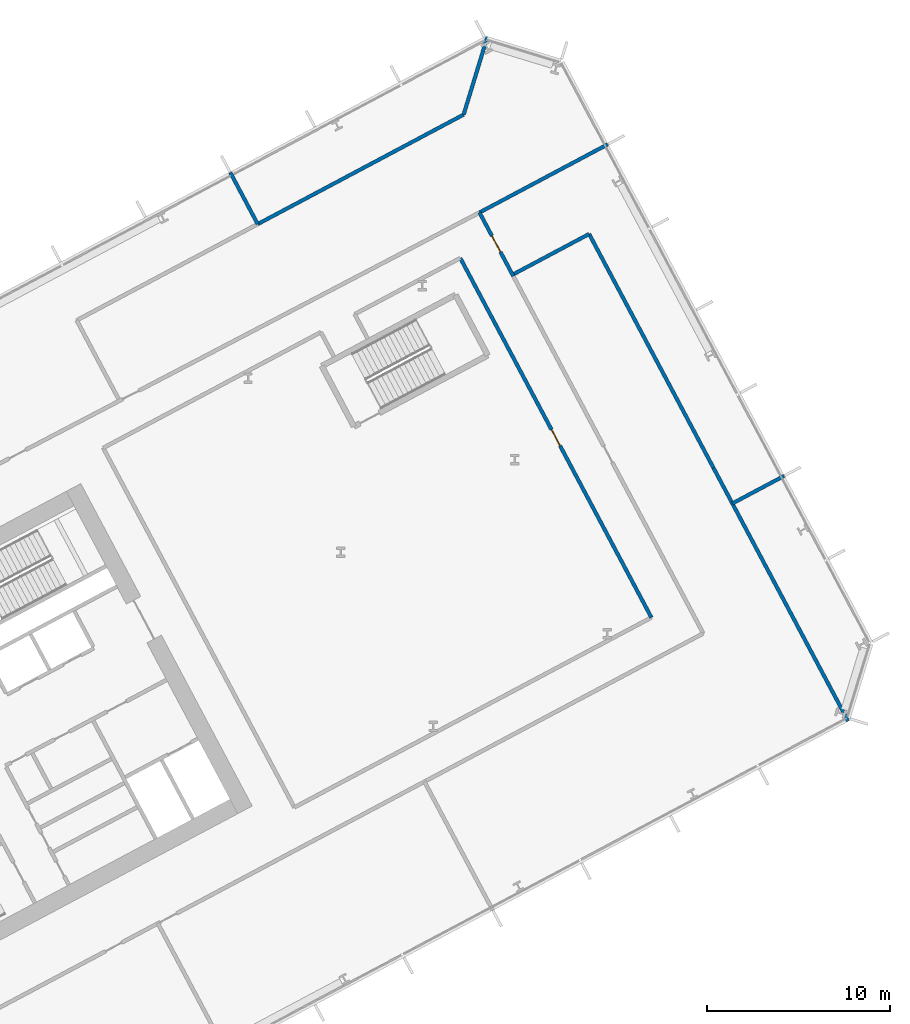
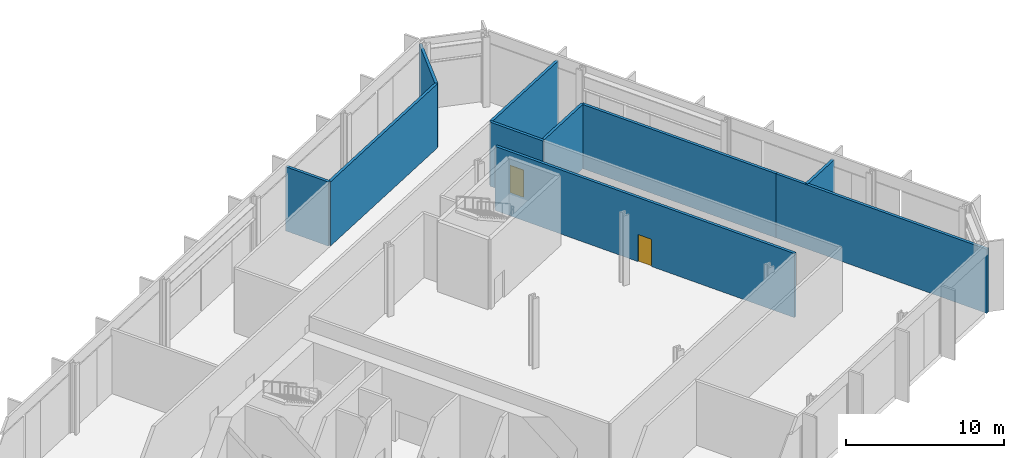
# One storey, part 17 of 31: 10 walls, 2 doors, 2 openings.
"""IFC4 building model written with IfcOpenShell, lengths in metres."""

from ifc_helpers import new_model, si_unit, direction, frame, frame_2d, origin, place, context, subcontext, project, spatial, rectangle, extrude, material, layer, layer_set, type_object, element, fill, save


model = new_model("IFC4")

# Units and contexts
model_context = context("Model", 3, precision=1e-05, world=origin(), true_north=direction((0.0, 1.0)))
body_context = subcontext(model_context, "Body", "Model", "MODEL_VIEW")
ifc_project = project(units=[si_unit("LENGTHUNIT", "METRE"), si_unit("AREAUNIT", "SQUARE_METRE"), si_unit("VOLUMEUNIT", "CUBIC_METRE"), si_unit("PLANEANGLEUNIT", "RADIAN"), si_unit("MASSUNIT", "GRAM", prefix="KILO")], contexts=[model_context])

# Site, building, storey
site_placement = place(None, origin())
site = spatial("IfcSite", under=ifc_project, at=site_placement, CompositionType="ELEMENT")
building_placement = place(site_placement, origin())
building = spatial("IfcBuilding", under=site, at=building_placement, Name="Cormorant Relay Tower", CompositionType="ELEMENT")
storey_placement = place(building_placement, frame((0.0, 0.0, 12.199951171875)))
storey = spatial("IfcBuildingStorey", under=building, at=storey_placement, Name="L02", CompositionType="ELEMENT", Elevation=12.199951171875)

# Walls
ifc_material_1 = material(Name="Fire-rated gypsum board partition")
ifc_layer = layer(ifc_material_1, 0.199951171875)
ifc_layer_set = layer_set([ifc_layer], Name="Fire-rated gypsum partition 200")
wall_type = type_object("IfcWallType", Name="Fire-rated gypsum partition 200", PredefinedType="PARTITIONING", material=ifc_layer_set)
wall_1_placement = place(storey_placement, frame((37.0439453125, 43.70703125, 0.0), z_axis=(0.0, 0.0, 1.0), x_axis=(0.469447181805, -0.882960556025, 0.0)))
element("IfcWall", 1, at=wall_1_placement, inside=storey, type_object=wall_type, Name="wall/L02/part/57", PredefinedType="PARTITIONING", context=body_context, shape_type="SweptSolid", body=[
    extrude(rectangle(XDim=3.199462890625, YDim=0.199951171875, at=frame_2d((1.599609375, 0.0))), origin(), (0.0, 0.0, 1.0), 4.949951171875),
])
wall_2_placement = place(storey_placement, frame((38.5458984375, 40.882080078125, 0.0), z_axis=(0.0, 0.0, 1.0), x_axis=(0.882973874067, 0.469422131685, 0.0)))
element("IfcWall", 2, at=wall_2_placement, inside=storey, type_object=wall_type, Name="wall/L02/part/58", PredefinedType="PARTITIONING", context=body_context, shape_type="SweptSolid", body=[
    extrude(rectangle(XDim=12.77294921875, YDim=0.199951171875, at=frame_2d((6.386474609375, 0.0))), origin(), (0.0, 0.0, 1.0), 4.949951171875),
])
wall_3_placement = place(storey_placement, frame((49.823974609375, 46.8779296875, 0.0), z_axis=(0.0, 0.0, 1.0), x_axis=(0.29242717897, 0.956287794024, 0.0)))
element("IfcWall", 3, at=wall_3_placement, inside=storey, type_object=wall_type, Name="wall/L02/part/59", PredefinedType="PARTITIONING", context=body_context, shape_type="SweptSolid", body=[
    extrude(rectangle(XDim=4.458984375, YDim=0.199951171875, at=frame_2d((2.2294921875, 0.0))), origin(), (0.0, 0.0, 1.0), 4.949951171875),
])

# Wall, opening, door
wall_4_placement = place(storey_placement, frame((49.64111328125, 39.02294921875, 0.0), z_axis=(0.0, 0.0, 1.0), x_axis=(0.469459906809, -0.882953790353, 0.0)))
wall_4 = element("IfcWall", 4, at=wall_4_placement, inside=storey, type_object=wall_type, Name="wall/L02/part/62", PredefinedType="PARTITIONING", context=body_context, shape_type="SweptSolid", body=[
    extrude(rectangle(XDim=22.300048828125, YDim=0.199951171875, at=frame_2d((11.14990234375, 0.0))), origin(), (0.0, 0.0, 1.0), 4.949951171875),
])
opening_1_placement = place(wall_4_placement, frame((10.64990234375, 0.0, 0.0)))
opening_1 = element("IfcOpeningElement", 5, at=opening_1_placement, cuts=wall_4, Name="Opening FD1-021", PredefinedType="OPENING", context=body_context, shape_type="SweptSolid", body=[
    extrude(rectangle(XDim=1.0, YDim=2.10009765625, at=frame_2d((0.5, 1.050048828125))), frame((0.0, 0.10986328125, 0.0), z_axis=(0.0, -1.0, 0.0), x_axis=(1.0, 0.0, 0.0)), (0.0, 0.0, 1.0), 0.219970703125),
])
ifc_material_2 = material(Name="Fire-rated steel door", Category="steel")
door_type = type_object("IfcDoorType", Name="Fire door 1000 x 2100", OperationType="SINGLE_SWING_LEFT", PredefinedType="DOOR", material=ifc_material_2)
door_1_placement = place(opening_1_placement, origin())
door_1 = element("IfcDoor", 6, at=door_1_placement, inside=storey, type_object=door_type, Name="door/L02/24", OperationType="SINGLE_SWING_LEFT", OverallHeight=2.10009765625, OverallWidth=1.0, PredefinedType="DOOR", context=body_context, shape_type="SweptSolid", body=[
    extrude(rectangle(XDim=1.0, YDim=2.10009765625, at=frame_2d((0.5, 1.050048828125))), frame((0.0, 0.02490234375, 0.0), z_axis=(0.0, -1.0, 0.0), x_axis=(1.0, 0.0, 0.0)), (0.0, 0.0, 1.0), 0.050048828125),
])
fill(opening_1, door_1)

wall_5_placement = place(storey_placement, frame((50.693115234375, 41.51611328125, 0.0), z_axis=(0.0, 0.0, 1.0), x_axis=(0.469428212836, -0.882970641071, 0.0)))
wall_5 = element("IfcWall", 7, at=wall_5_placement, inside=storey, type_object=wall_type, Name="wall/L02/part/69", PredefinedType="PARTITIONING", context=body_context, shape_type="SweptSolid", body=[
    extrude(rectangle(XDim=3.94482421875, YDim=0.199951171875, at=frame_2d((1.972412109375, 0.0))), origin(), (0.0, 0.0, 1.0), 4.949951171875),
])
opening_2_placement = place(wall_5_placement, frame((1.449951171875, 0.0, 0.0)))
opening_2 = element("IfcOpeningElement", 8, at=opening_2_placement, cuts=wall_5, Name="Opening FD1-026", PredefinedType="OPENING", context=body_context, shape_type="SweptSolid", body=[
    extrude(rectangle(XDim=1.0, YDim=2.10009765625, at=frame_2d((0.5, 1.050048828125))), frame((0.0, 0.10986328125, 0.0), z_axis=(0.0, -1.0, 0.0), x_axis=(1.0, 0.0, 0.0)), (0.0, 0.0, 1.0), 0.219970703125),
])
door_2_placement = place(opening_2_placement, origin())
door_2 = element("IfcDoor", 9, at=door_2_placement, inside=storey, type_object=door_type, Name="door/L02/7", OperationType="SINGLE_SWING_RIGHT", OverallHeight=2.10009765625, OverallWidth=1.0, PredefinedType="DOOR", context=body_context, shape_type="SweptSolid", body=[
    extrude(rectangle(XDim=1.0, YDim=2.10009765625, at=frame_2d((0.5, 1.050048828125))), frame((0.0, 0.02490234375, 0.0), z_axis=(0.0, -1.0, 0.0), x_axis=(1.0, 0.0, 0.0)), (0.0, 0.0, 1.0), 0.050048828125),
])
fill(opening_2, door_2)

# Walls
wall_6_placement = place(storey_placement, frame((57.712890625, 45.248046875, 0.0), z_axis=(0.0, 0.0, 1.0), x_axis=(-0.882976121624, -0.46941790405, 0.0)))
element("IfcWall", 10, at=wall_6_placement, inside=storey, type_object=wall_type, Name="wall/L02/part/70", PredefinedType="PARTITIONING", context=body_context, shape_type="SweptSolid", body=[
    extrude(rectangle(XDim=7.9501953125, YDim=0.199951171875, at=frame_2d((3.97509765625, 0.0))), origin(), (0.0, 0.0, 1.0), 4.949951171875),
])
wall_7_placement = place(storey_placement, frame((52.52001953125, 38.117919921875, 0.0), z_axis=(0.0, 0.0, 1.0), x_axis=(0.882886497292, 0.469586448802, 0.0)))
element("IfcWall", 11, at=wall_7_placement, inside=storey, type_object=wall_type, Name="wall/L02/part/71", PredefinedType="PARTITIONING", context=body_context, shape_type="SweptSolid", body=[
    extrude(rectangle(XDim=4.732177734375, YDim=0.199951171875, at=frame_2d((2.3662109375, 0.0))), origin(), (0.0, 0.0, 1.0), 4.949951171875),
])
wall_8_placement = place(storey_placement, frame((56.697998046875, 40.340087890625, 0.0), z_axis=(0.0, 0.0, 1.0), x_axis=(0.469433248113, -0.882967964065, 0.0)))
element("IfcWall", 12, at=wall_8_placement, inside=storey, type_object=wall_type, Name="wall/L02/part/72", PredefinedType="PARTITIONING", context=body_context, shape_type="SweptSolid", body=[
    extrude(rectangle(XDim=14.509033203125, YDim=0.199951171875, at=frame_2d((7.25439453125, 0.0))), origin(), (0.0, 0.0, 1.0), 4.949951171875),
])
wall_9_placement = place(storey_placement, frame((63.509033203125, 27.529052734375, 0.0), z_axis=(0.0, 0.0, 1.0), x_axis=(0.469480983661, -0.882942583627, 0.0)))
element("IfcWall", 13, at=wall_9_placement, inside=storey, type_object=wall_type, Name="wall/L02/part/73", PredefinedType="PARTITIONING", context=body_context, shape_type="SweptSolid", body=[
    extrude(rectangle(XDim=15.706787109375, YDim=0.199951171875, at=frame_2d((7.853515625, 0.0))), origin(), (0.0, 0.0, 1.0), 4.949951171875),
])
wall_10_placement = place(storey_placement, frame((67.3701171875, 27.0849609375, 0.0), z_axis=(0.0, 0.0, 1.0), x_axis=(-0.882918137105, -0.469526956809, 0.0)))
element("IfcWall", 14, at=wall_10_placement, inside=storey, type_object=wall_type, Name="wall/L02/part/74", PredefinedType="PARTITIONING", context=body_context, shape_type="SweptSolid", body=[
    extrude(rectangle(XDim=3.200927734375, YDim=0.199951171875, at=frame_2d((1.6005859375, 0.0))), origin(), (0.0, 0.0, 1.0), 4.949951171875),
])

save(model, "model.ifc")
